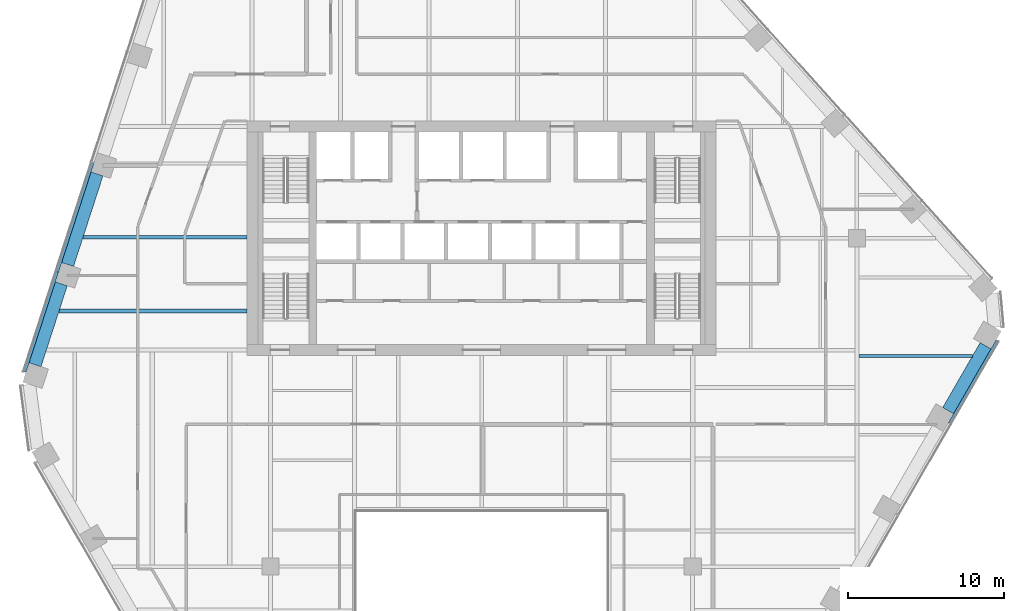
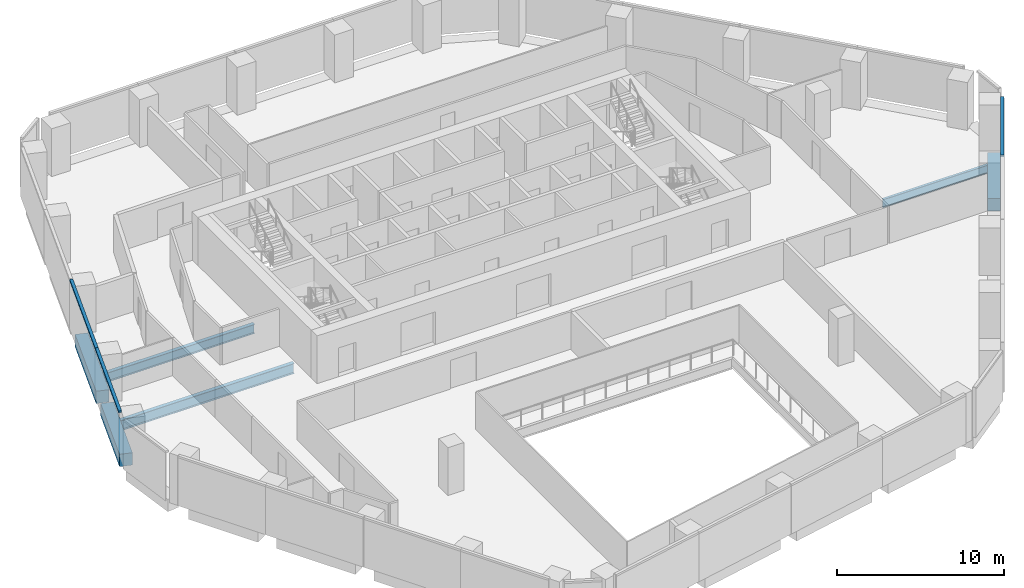
# One storey, part 6 of 17: 6 beams, 3 members, 2 elements without a shape of their own.
"""IFC4 building model written with IfcOpenShell, lengths in metres."""

from ifc_helpers import new_model, si_unit, direction, frame, origin, origin_2d, place, context, subcontext, project, spatial, rectangle, i_section, extrude, material, layer, layer_set, material_profile, profile_set, type_object, element, aggregate, save


model = new_model("IFC4")

# Units and contexts
model_context = context("Model", 3, precision=1e-05, world=origin(), true_north=direction((0.0, 1.0)))
body_context = subcontext(model_context, "Body", "Model", "MODEL_VIEW")
ifc_project = project(units=[si_unit("LENGTHUNIT", "METRE"), si_unit("AREAUNIT", "SQUARE_METRE"), si_unit("VOLUMEUNIT", "CUBIC_METRE"), si_unit("PLANEANGLEUNIT", "RADIAN"), si_unit("MASSUNIT", "GRAM", prefix="KILO")], contexts=[model_context])

# Site, building, storey
site_placement = place(None, origin())
site = spatial("IfcSite", under=ifc_project, at=site_placement, CompositionType="ELEMENT")
building_placement = place(site_placement, origin())
building = spatial("IfcBuilding", under=site, at=building_placement, Name="Isthmus Gate Tower", CompositionType="ELEMENT")
storey_placement = place(building_placement, frame((0.0, 0.0, 181.75)))
storey = spatial("IfcBuildingStorey", under=building, at=storey_placement, Name="L45", CompositionType="ELEMENT", Elevation=181.75)

# Curtain wall, members
ifc_material_1 = material(Name="Aluminium, pale champagne anodised", Category="aluminium")
ifc_layer = layer(ifc_material_1, 0.199951171875)
ifc_layer_set = layer_set([ifc_layer], Name="CW-1 UNITISED CURTAIN WALL 200 DEEP")
curtain_wall_type = type_object("IfcCurtainWallType", Name="CW-1 UNITISED CURTAIN WALL 200 DEEP", PredefinedType="NOTDEFINED", material=ifc_layer_set)
curtain_wall_1_placement = place(storey_placement, origin())
curtain_wall_1 = element("IfcCurtainWall", 1, at=curtain_wall_1_placement, inside=storey, type_object=curtain_wall_type, Name="CW-1 NW L45", PredefinedType="NOTDEFINED")
ifc_material_2 = material(Name="Aluminium, pale champagne anodised", Category="aluminium")
ifc_material_profile_1 = material_profile(ifc_material_2, rectangle(XDim=0.199951171875, YDim=0.139892578125, at=origin_2d()), Name="200x140")
ifc_profile_set_1 = profile_set([ifc_material_profile_1], Name="Aluminium, pale champagne anodised")
member_type = type_object("IfcMemberType", Name="CW-1 TRANSOM 200 X 140", PredefinedType="USERDEFINED", material=ifc_profile_set_1)
member_1_placement = place(storey_placement, frame((-24.896240234375, 12.33056640625, 3.580078125), z_axis=(-0.309025074527, -0.951053890857, 0.0), x_axis=(0.951053890857, -0.309025074527, 0.0)))
member_1 = element("IfcMember", 2, at=member_1_placement, type_object=member_type, Name="CW-1 transom", ObjectType="TRANSOM", PredefinedType="USERDEFINED", context=body_context, shape_type="SweptSolid", body=[
    extrude(rectangle(XDim=0.199951171875, YDim=0.139892578125, at=origin_2d()), origin(), (0.0, 0.0, 1.0), 7.330810546875),
])
member_2_placement = place(storey_placement, frame((-27.16162109375, 5.358642578125, 3.580078125), z_axis=(-0.309014822289, -0.951057222046, 0.0), x_axis=(0.951057222046, -0.309014822289, 0.0)))
member_2 = element("IfcMember", 3, at=member_2_placement, type_object=member_type, Name="CW-1 transom", ObjectType="TRANSOM", PredefinedType="USERDEFINED", context=body_context, shape_type="SweptSolid", body=[
    extrude(rectangle(XDim=0.199951171875, YDim=0.139892578125, at=origin_2d()), origin(), (0.0, 0.0, 1.0), 6.74072265625),
])
aggregate(curtain_wall_1, [member_1, member_2])

# Curtain wall, member
curtain_wall_2_placement = place(storey_placement, origin())
curtain_wall_2 = element("IfcCurtainWall", 4, at=curtain_wall_2_placement, inside=storey, type_object=curtain_wall_type, Name="CW-1 SE L45", PredefinedType="NOTDEFINED")
member_3_placement = place(storey_placement, frame((29.941162109375, -4.34033203125, 3.580078125), z_axis=(0.499991521122, 0.866030299012, 0.0), x_axis=(-0.866030299012, 0.499991521122, 0.0)))
member_3 = element("IfcMember", 5, at=member_3_placement, type_object=member_type, Name="CW-1 transom", ObjectType="TRANSOM", PredefinedType="USERDEFINED", context=body_context, shape_type="SweptSolid", body=[
    extrude(rectangle(XDim=0.199951171875, YDim=0.139892578125, at=origin_2d()), origin(), (0.0, 0.0, 1.0), 6.10009765625),
])
aggregate(curtain_wall_2, [member_3])

# Beams
ifc_material_3 = material(Name="Concrete f'c 60 MPa", Category="concrete")
ifc_material_profile_2 = material_profile(ifc_material_3, rectangle(XDim=0.800048828125, YDim=0.89990234375, at=origin_2d()), Name="RC 800X900")
ifc_profile_set_2 = profile_set([ifc_material_profile_2], Name="Concrete f'c 60 MPa")
beam_type_1 = type_object("IfcBeamType", Name="RC SPANDREL 800 X 900", PredefinedType="SPANDREL", material=ifc_profile_set_2)
beam_1_placement = place(storey_placement, frame((32.2333984375, 0.629638671875, -0.449951171875), z_axis=(-0.500017431331, -0.866015339567, 0.0), x_axis=(0.866015339567, -0.500017431331, 0.0)))
element("IfcBeam", 6, at=beam_1_placement, inside=storey, type_object=beam_type_1, Name="str-spandrel-L45-06", PredefinedType="SPANDREL", context=body_context, shape_type="SweptSolid", body=[
    extrude(rectangle(XDim=0.800048828125, YDim=0.89990234375, at=origin_2d()), origin(), (0.0, 0.0, 1.0), 4.800048828125),
])
beam_2_placement = place(storey_placement, frame((-28.568115234375, -0.588623046875, -0.449951171875), z_axis=(0.308989680586, 0.95106539065, 0.0), x_axis=(-0.95106539065, 0.308989680586, 0.0)))
element("IfcBeam", 7, at=beam_2_placement, inside=storey, type_object=beam_type_1, Name="str-spandrel-L45-21", PredefinedType="SPANDREL", context=body_context, shape_type="SweptSolid", body=[
    extrude(rectangle(XDim=0.800048828125, YDim=0.89990234375, at=origin_2d()), origin(), (0.0, 0.0, 1.0), 5.44091796875),
])
beam_3_placement = place(storey_placement, frame((-26.485107421875, 5.822265625, -0.449951171875), z_axis=(0.309003593002, 0.951060870561, 0.0), x_axis=(-0.951060870561, 0.309003593002, 0.0)))
element("IfcBeam", 8, at=beam_3_placement, inside=storey, type_object=beam_type_1, Name="str-spandrel-L45-22", PredefinedType="SPANDREL", context=body_context, shape_type="SweptSolid", body=[
    extrude(rectangle(XDim=0.800048828125, YDim=0.89990234375, at=origin_2d()), origin(), (0.0, 0.0, 1.0), 6.0908203125),
])
ifc_material_4 = material(Name="Structural steel ASTM A992 Gr 50", Category="steel")
ifc_material_profile_3 = material_profile(ifc_material_4, i_section(OverallWidth=0.177734375, OverallDepth=0.60009765625, WebThickness=0.009521484375, FlangeThickness=0.0126953125, at=origin_2d()), Name="W24X55")
ifc_profile_set_3 = profile_set([ifc_material_profile_3], Name="Structural steel ASTM A992 Gr 50")
beam_type_2 = type_object("IfcBeamType", Name="STEEL FLOOR BEAM W24X55", PredefinedType="JOIST", material=ifc_profile_set_3)
beam_4_placement = place(storey_placement, frame((24.13330078125, -0.037353515625, -0.449951171875), z_axis=(1.0, 0.0, 0.0), x_axis=(0.0, 1.0, 0.0)))
element("IfcBeam", 9, at=beam_4_placement, inside=storey, type_object=beam_type_2, Name="str-beam-L45-16-01", PredefinedType="JOIST", context=body_context, shape_type="SweptSolid", body=[
    extrude(i_section(OverallWidth=0.177734375, OverallDepth=0.60009765625, WebThickness=0.009521484375, FlangeThickness=0.0126953125, at=origin_2d()), origin(), (0.0, 0.0, 1.0), 7.2529296875),
])
ifc_material_5 = material(Name="Structural steel ASTM A992 Gr 50", Category="steel")
ifc_material_profile_4 = material_profile(ifc_material_5, i_section(OverallWidth=0.25390625, OverallDepth=0.679443359375, WebThickness=0.010986328125, FlangeThickness=0.015869140625, at=origin_2d()), Name="W27X84")
ifc_profile_set_4 = profile_set([ifc_material_profile_4], Name="Structural steel ASTM A992 Gr 50")
beam_type_3 = type_object("IfcBeamType", Name="STEEL FLOOR BEAM W27X84", PredefinedType="JOIST", material=ifc_profile_set_4)
beam_5_placement = place(storey_placement, frame((-25.498046875, 7.56591796875, -0.48974609375), z_axis=(1.0, 0.0, 0.0), x_axis=(0.0, 1.0, 0.0)))
element("IfcBeam", 10, at=beam_5_placement, inside=storey, type_object=beam_type_3, Name="str-beam-L45-01-01", PredefinedType="JOIST", context=body_context, shape_type="SweptSolid", body=[
    extrude(i_section(OverallWidth=0.25390625, OverallDepth=0.679443359375, WebThickness=0.010986328125, FlangeThickness=0.015869140625, at=origin_2d()), origin(), (0.0, 0.0, 1.0), 10.498046875),
])
ifc_material_6 = material(Name="Structural steel ASTM A992 Gr 50", Category="steel")
ifc_material_profile_5 = material_profile(ifc_material_6, i_section(OverallWidth=0.263427734375, OverallDepth=0.749267578125, WebThickness=0.0126953125, FlangeThickness=0.015869140625, at=origin_2d()), Name="W30X90")
ifc_profile_set_5 = profile_set([ifc_material_profile_5], Name="Structural steel ASTM A992 Gr 50")
beam_type_4 = type_object("IfcBeamType", Name="STEEL FLOOR BEAM W30X90", PredefinedType="JOIST", material=ifc_profile_set_5)
beam_6_placement = place(storey_placement, frame((-27.03271484375, 2.843017578125, -0.524658203125), z_axis=(1.0, 0.0, 0.0), x_axis=(0.0, 1.0, 0.0)))
element("IfcBeam", 11, at=beam_6_placement, inside=storey, type_object=beam_type_4, Name="str-beam-L45-01-00", PredefinedType="JOIST", context=body_context, shape_type="SweptSolid", body=[
    extrude(i_section(OverallWidth=0.263427734375, OverallDepth=0.749267578125, WebThickness=0.0126953125, FlangeThickness=0.015869140625, at=origin_2d()), origin(), (0.0, 0.0, 1.0), 12.03271484375),
])

save(model, "model.ifc")
